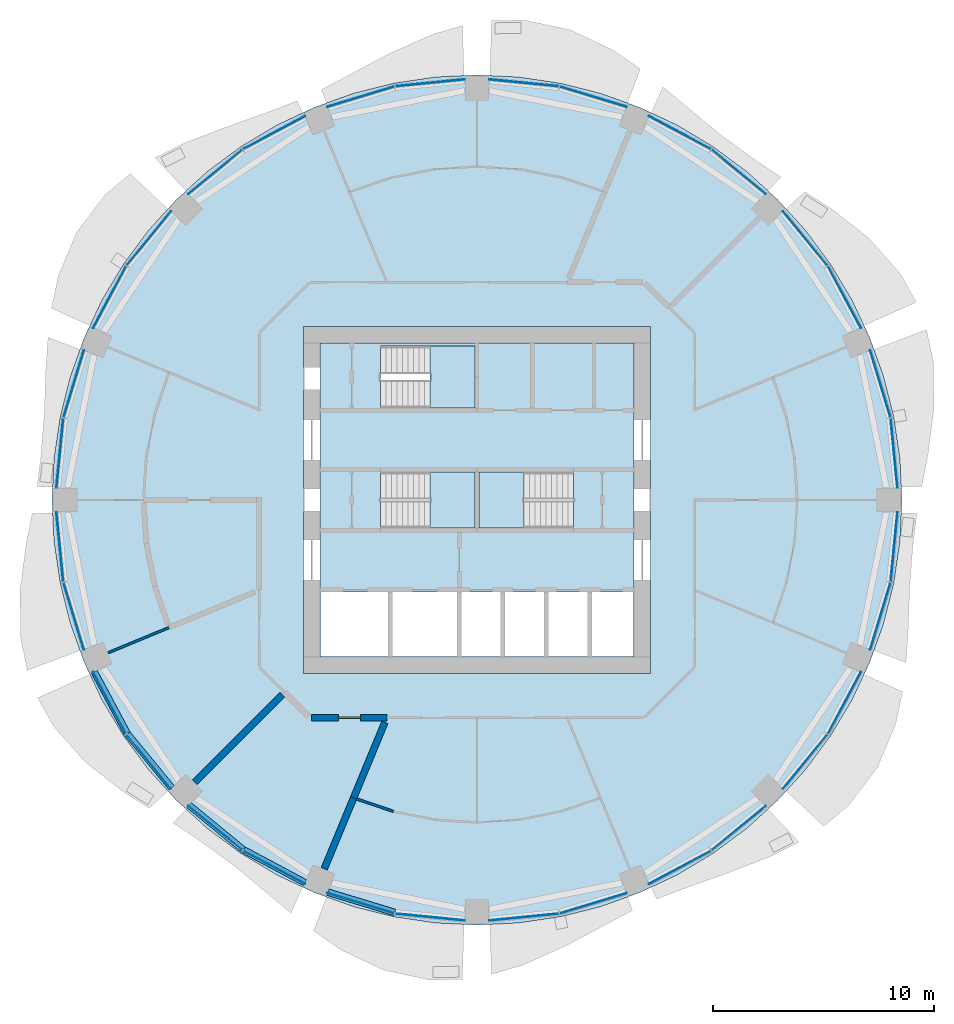
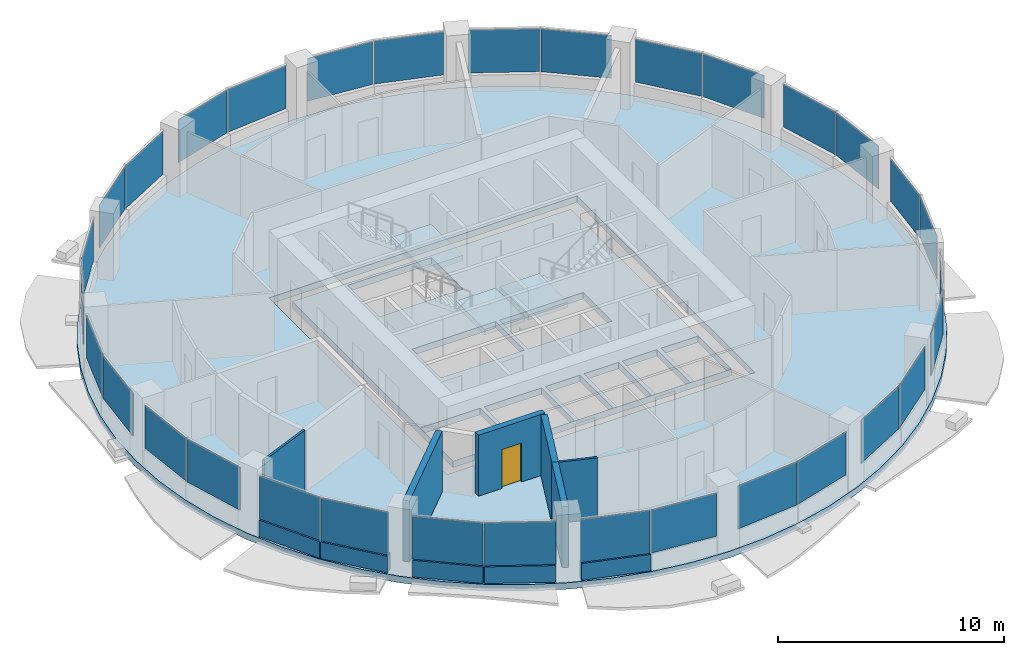
# One storey, part 6 of 14: 32 plates, 11 walls, 5 slabs, 1 door, 1 opening, 19 elements without a shape of their own.
"""IFC4 building model written with IfcOpenShell, lengths in metres."""

from ifc_helpers import new_model, si_unit, direction, frame, frame_2d, origin, origin_2d, place, context, subcontext, project, spatial, polyline, rectangle, outline, extrude, material, layer, layer_set, type_object, element, fill, aggregate, save


model = new_model("IFC4")

# Units and contexts
model_context = context("Model", 3, precision=1e-05, world=origin(), true_north=direction((0.0, 1.0)))
body_context = subcontext(model_context, "Body", "Model", "MODEL_VIEW")
ifc_project = project(units=[si_unit("LENGTHUNIT", "METRE"), si_unit("AREAUNIT", "SQUARE_METRE"), si_unit("VOLUMEUNIT", "CUBIC_METRE"), si_unit("PLANEANGLEUNIT", "RADIAN"), si_unit("MASSUNIT", "GRAM", prefix="KILO")], contexts=[model_context])

# Site, building, storey
site_placement = place(None, origin())
site = spatial("IfcSite", under=ifc_project, at=site_placement, CompositionType="ELEMENT")
building_placement = place(site_placement, origin())
building = spatial("IfcBuilding", under=site, at=building_placement, Name="Polderwave Tower", CompositionType="ELEMENT")
storey_placement = place(building_placement, frame((0.0, 0.0, 101.949951171875)))
storey = spatial("IfcBuildingStorey", under=building, at=storey_placement, Name="L26", CompositionType="ELEMENT", Elevation=101.949951171875)

# Slab
ifc_material_1 = material(Name="Concrete C40/50", Category="concrete")
ifc_layer_1 = layer(ifc_material_1, 0.35009765625)
ifc_layer_set_1 = layer_set([ifc_layer_1], Name="Core floor slab 350")
slab_type_1 = type_object("IfcSlabType", Name="Core floor slab 350", PredefinedType="FLOOR", material=ifc_layer_set_1)
slab_1_placement = place(storey_placement, frame((0.0, 0.0, -0.349853515625)))
element("IfcSlab", 1, at=slab_1_placement, inside=storey, type_object=slab_type_1, Name="L26 core floor", PredefinedType="FLOOR", context=body_context, shape_type="SweptSolid", body=[
    extrude(outline(polyline([(-7.1240234375, -7.1240234375), (7.1240234375, -7.1240234375), (7.1240234375, 7.1240234375), (-7.1240234375, 7.1240234375), (-7.1240234375, -7.1240234375)]), holes=[polyline([(-7.10400390625, -7.10400390625), (-4.037109375, -7.10400390625), (-4.037109375, -4.174072265625), (-7.10400390625, -4.174072265625), (-7.10400390625, -7.10400390625)]), polyline([(-3.8369140625, -7.10400390625), (-0.89990234375, -7.10400390625), (-0.89990234375, -4.174072265625), (-3.8369140625, -4.174072265625), (-3.8369140625, -7.10400390625)]), polyline([(-0.699951171875, -7.10400390625), (1.068603515625, -7.10400390625), (1.068603515625, -4.174072265625), (-0.699951171875, -4.174072265625), (-0.699951171875, -7.10400390625)]), polyline([(1.2685546875, -7.10400390625), (3.037109375, -7.10400390625), (3.037109375, -4.174072265625), (1.2685546875, -4.174072265625), (1.2685546875, -7.10400390625)]), polyline([(3.237060546875, -7.10400390625), (5.005615234375, -7.10400390625), (5.005615234375, -4.174072265625), (3.237060546875, -4.174072265625), (3.237060546875, -7.10400390625)]), polyline([(5.20556640625, -7.10400390625), (7.10400390625, -7.10400390625), (7.10400390625, -4.174072265625), (5.20556640625, -4.174072265625), (5.20556640625, -7.10400390625)]), polyline([(-4.37353515625, -1.2744140625), (-0.1005859375, -1.2744140625), (-0.1005859375, 1.2744140625), (-4.37353515625, 1.2744140625), (-4.37353515625, -1.2744140625)]), polyline([(0.1005859375, -1.2744140625), (4.37353515625, -1.2744140625), (4.37353515625, 1.2744140625), (0.1005859375, 1.2744140625), (0.1005859375, -1.2744140625)]), polyline([(-4.37353515625, 4.174560546875), (-0.1005859375, 4.174560546875), (-0.1005859375, 6.973388671875), (-4.37353515625, 6.973388671875), (-4.37353515625, 4.174560546875)])]), origin(), (0.0, 0.0, 1.0), 0.349853515625),
])

# Curtain wall, plates
ifc_material_2 = material(Name="Aluminium 6063-T6 and glass", Category="aluminium")
curtain_wall_type = type_object("IfcCurtainWallType", Name="Growing floor ribbon glazing wall", PredefinedType="NOTDEFINED", material=ifc_material_2)
curtain_wall_1_placement = place(storey_placement, origin())
curtain_wall_1 = element("IfcCurtainWall", 2, at=curtain_wall_1_placement, inside=storey, type_object=curtain_wall_type, Name="CW2 L26 00", PredefinedType="NOTDEFINED")
ifc_material_3 = material(Name="Glass, low-e laminated double glazing", Category="glass")
ifc_layer_2 = layer(ifc_material_3, 0.028076171875)
ifc_layer_set_2 = layer_set([ifc_layer_2], Name="Growing floor ribbon glazing glass panel 28 mm")
plate_type = type_object("IfcPlateType", Name="Growing floor ribbon glazing glass panel 28 mm", PredefinedType="CURTAIN_PANEL", material=ifc_layer_set_2)
plate_1_placement = place(storey_placement, frame((18.910888671875, 2.125, 0.89990234375), z_axis=(0.0, 0.0, 1.0), x_axis=(-0.097954610836, 0.995190883306, 0.0)))
plate_1 = element("IfcPlate", 3, at=plate_1_placement, type_object=plate_type, Name="CW2 panel 1", PredefinedType="CURTAIN_PANEL", context=body_context, shape_type="SweptSolid", body=[
    extrude(rectangle(XDim=3.165283203125, YDim=0.028076171875, at=origin_2d()), origin(), (0.0, 0.0, 1.0), 2.320068359375),
])
plate_2_placement = place(storey_placement, frame((18.28466796875, 5.2734375, 0.89990234375), z_axis=(0.0, 0.0, 1.0), x_axis=(-0.290389896585, 0.95690841148, 0.0)))
plate_2 = element("IfcPlate", 4, at=plate_2_placement, type_object=plate_type, Name="CW2 panel 2", PredefinedType="CURTAIN_PANEL", context=body_context, shape_type="SweptSolid", body=[
    extrude(rectangle(XDim=3.165771484375, YDim=0.028076171875, at=origin_2d()), origin(), (0.0, 0.0, 1.0), 2.320068359375),
])
aggregate(curtain_wall_1, [plate_1, plate_2])

curtain_wall_2_placement = place(storey_placement, origin())
curtain_wall_2 = element("IfcCurtainWall", 5, at=curtain_wall_2_placement, inside=storey, type_object=curtain_wall_type, Name="CW2 L26 01", PredefinedType="NOTDEFINED")
plate_3_placement = place(storey_placement, frame((16.658203125, 9.2001953125, 0.89990234375), z_axis=(0.0, 0.0, 1.0), x_axis=(-0.471205859658, 0.882023263766, 0.0)))
plate_3 = element("IfcPlate", 6, at=plate_3_placement, type_object=plate_type, Name="CW2 panel 1", PredefinedType="CURTAIN_PANEL", context=body_context, shape_type="SweptSolid", body=[
    extrude(rectangle(XDim=3.166015625, YDim=0.028076171875, at=origin_2d()), origin(), (0.0, 0.0, 1.0), 2.320068359375),
])
plate_4_placement = place(storey_placement, frame((14.87451171875, 11.86962890625, 0.89990234375), z_axis=(0.0, 0.0, 1.0), x_axis=(-0.634565960524, 0.772868709254, 0.0)))
plate_4 = element("IfcPlate", 7, at=plate_4_placement, type_object=plate_type, Name="CW2 panel 2", PredefinedType="CURTAIN_PANEL", context=body_context, shape_type="SweptSolid", body=[
    extrude(rectangle(XDim=3.166015625, YDim=0.028076171875, at=origin_2d()), origin(), (0.0, 0.0, 1.0), 2.320068359375),
])
aggregate(curtain_wall_2, [plate_3, plate_4])

curtain_wall_3_placement = place(storey_placement, origin())
curtain_wall_3 = element("IfcCurtainWall", 8, at=curtain_wall_3_placement, inside=storey, type_object=curtain_wall_type, Name="CW2 L26 02", PredefinedType="NOTDEFINED")
plate_5_placement = place(storey_placement, frame((11.86962890625, 14.87451171875, 0.89990234375), z_axis=(0.0, 0.0, 1.0), x_axis=(-0.772868709254, 0.634565960524, 0.0)))
plate_5 = element("IfcPlate", 9, at=plate_5_placement, type_object=plate_type, Name="CW2 panel 1", PredefinedType="CURTAIN_PANEL", context=body_context, shape_type="SweptSolid", body=[
    extrude(rectangle(XDim=3.166015625, YDim=0.028076171875, at=origin_2d()), origin(), (0.0, 0.0, 1.0), 2.320068359375),
])
plate_6_placement = place(storey_placement, frame((9.2001953125, 16.658203125, 0.89990234375), z_axis=(0.0, 0.0, 1.0), x_axis=(-0.882023263766, 0.471205859658, 0.0)))
plate_6 = element("IfcPlate", 10, at=plate_6_placement, type_object=plate_type, Name="CW2 panel 2", PredefinedType="CURTAIN_PANEL", context=body_context, shape_type="SweptSolid", body=[
    extrude(rectangle(XDim=3.166015625, YDim=0.028076171875, at=origin_2d()), origin(), (0.0, 0.0, 1.0), 2.320068359375),
])
aggregate(curtain_wall_3, [plate_5, plate_6])

curtain_wall_4_placement = place(storey_placement, origin())
curtain_wall_4 = element("IfcCurtainWall", 11, at=curtain_wall_4_placement, inside=storey, type_object=curtain_wall_type, Name="CW2 L26 03", PredefinedType="NOTDEFINED")
plate_7_placement = place(storey_placement, frame((5.2734375, 18.28466796875, 0.89990234375), z_axis=(0.0, 0.0, 1.0), x_axis=(-0.95690841148, 0.290389896585, 0.0)))
plate_7 = element("IfcPlate", 12, at=plate_7_placement, type_object=plate_type, Name="CW2 panel 1", PredefinedType="CURTAIN_PANEL", context=body_context, shape_type="SweptSolid", body=[
    extrude(rectangle(XDim=3.165771484375, YDim=0.028076171875, at=origin_2d()), origin(), (0.0, 0.0, 1.0), 2.320068359375),
])
plate_8_placement = place(storey_placement, frame((2.125, 18.910888671875, 0.89990234375), z_axis=(0.0, 0.0, 1.0), x_axis=(-0.995190883306, 0.097954610836, 0.0)))
plate_8 = element("IfcPlate", 13, at=plate_8_placement, type_object=plate_type, Name="CW2 panel 2", PredefinedType="CURTAIN_PANEL", context=body_context, shape_type="SweptSolid", body=[
    extrude(rectangle(XDim=3.165283203125, YDim=0.028076171875, at=origin_2d()), origin(), (0.0, 0.0, 1.0), 2.320068359375),
])
aggregate(curtain_wall_4, [plate_7, plate_8])

curtain_wall_5_placement = place(storey_placement, origin())
curtain_wall_5 = element("IfcCurtainWall", 14, at=curtain_wall_5_placement, inside=storey, type_object=curtain_wall_type, Name="CW2 L26 04", PredefinedType="NOTDEFINED")
plate_9_placement = place(storey_placement, frame((-2.125, 18.910888671875, 0.89990234375), z_axis=(0.0, 0.0, 1.0), x_axis=(-0.995190883306, -0.097954610836, 0.0)))
plate_9 = element("IfcPlate", 15, at=plate_9_placement, type_object=plate_type, Name="CW2 panel 1", PredefinedType="CURTAIN_PANEL", context=body_context, shape_type="SweptSolid", body=[
    extrude(rectangle(XDim=3.165283203125, YDim=0.028076171875, at=origin_2d()), origin(), (0.0, 0.0, 1.0), 2.320068359375),
])
plate_10_placement = place(storey_placement, frame((-5.2734375, 18.28466796875, 0.89990234375), z_axis=(0.0, 0.0, 1.0), x_axis=(-0.95690841148, -0.290389896585, 0.0)))
plate_10 = element("IfcPlate", 16, at=plate_10_placement, type_object=plate_type, Name="CW2 panel 2", PredefinedType="CURTAIN_PANEL", context=body_context, shape_type="SweptSolid", body=[
    extrude(rectangle(XDim=3.165771484375, YDim=0.028076171875, at=origin_2d()), origin(), (0.0, 0.0, 1.0), 2.320068359375),
])
aggregate(curtain_wall_5, [plate_9, plate_10])

curtain_wall_6_placement = place(storey_placement, origin())
curtain_wall_6 = element("IfcCurtainWall", 17, at=curtain_wall_6_placement, inside=storey, type_object=curtain_wall_type, Name="CW2 L26 05", PredefinedType="NOTDEFINED")
plate_11_placement = place(storey_placement, frame((-9.2001953125, 16.658203125, 0.89990234375), z_axis=(0.0, 0.0, 1.0), x_axis=(-0.882023263766, -0.471205859658, 0.0)))
plate_11 = element("IfcPlate", 18, at=plate_11_placement, type_object=plate_type, Name="CW2 panel 1", PredefinedType="CURTAIN_PANEL", context=body_context, shape_type="SweptSolid", body=[
    extrude(rectangle(XDim=3.166015625, YDim=0.028076171875, at=origin_2d()), origin(), (0.0, 0.0, 1.0), 2.320068359375),
])
plate_12_placement = place(storey_placement, frame((-11.86962890625, 14.87451171875, 0.89990234375), z_axis=(0.0, 0.0, 1.0), x_axis=(-0.772868709254, -0.634565960524, 0.0)))
plate_12 = element("IfcPlate", 19, at=plate_12_placement, type_object=plate_type, Name="CW2 panel 2", PredefinedType="CURTAIN_PANEL", context=body_context, shape_type="SweptSolid", body=[
    extrude(rectangle(XDim=3.166015625, YDim=0.028076171875, at=origin_2d()), origin(), (0.0, 0.0, 1.0), 2.320068359375),
])
aggregate(curtain_wall_6, [plate_11, plate_12])

curtain_wall_7_placement = place(storey_placement, origin())
curtain_wall_7 = element("IfcCurtainWall", 20, at=curtain_wall_7_placement, inside=storey, type_object=curtain_wall_type, Name="CW2 L26 06", PredefinedType="NOTDEFINED")
plate_13_placement = place(storey_placement, frame((-14.87451171875, 11.86962890625, 0.89990234375), z_axis=(0.0, 0.0, 1.0), x_axis=(-0.634565960524, -0.772868709254, 0.0)))
plate_13 = element("IfcPlate", 21, at=plate_13_placement, type_object=plate_type, Name="CW2 panel 1", PredefinedType="CURTAIN_PANEL", context=body_context, shape_type="SweptSolid", body=[
    extrude(rectangle(XDim=3.166015625, YDim=0.028076171875, at=origin_2d()), origin(), (0.0, 0.0, 1.0), 2.320068359375),
])
plate_14_placement = place(storey_placement, frame((-16.658203125, 9.2001953125, 0.89990234375), z_axis=(0.0, 0.0, 1.0), x_axis=(-0.471205859658, -0.882023263766, 0.0)))
plate_14 = element("IfcPlate", 22, at=plate_14_placement, type_object=plate_type, Name="CW2 panel 2", PredefinedType="CURTAIN_PANEL", context=body_context, shape_type="SweptSolid", body=[
    extrude(rectangle(XDim=3.166015625, YDim=0.028076171875, at=origin_2d()), origin(), (0.0, 0.0, 1.0), 2.320068359375),
])
aggregate(curtain_wall_7, [plate_13, plate_14])

curtain_wall_8_placement = place(storey_placement, origin())
curtain_wall_8 = element("IfcCurtainWall", 23, at=curtain_wall_8_placement, inside=storey, type_object=curtain_wall_type, Name="CW2 L26 07", PredefinedType="NOTDEFINED")
plate_15_placement = place(storey_placement, frame((-18.28466796875, 5.2734375, 0.89990234375), z_axis=(0.0, 0.0, 1.0), x_axis=(-0.290389896585, -0.95690841148, 0.0)))
plate_15 = element("IfcPlate", 24, at=plate_15_placement, type_object=plate_type, Name="CW2 panel 1", PredefinedType="CURTAIN_PANEL", context=body_context, shape_type="SweptSolid", body=[
    extrude(rectangle(XDim=3.165771484375, YDim=0.028076171875, at=origin_2d()), origin(), (0.0, 0.0, 1.0), 2.320068359375),
])
plate_16_placement = place(storey_placement, frame((-18.910888671875, 2.125, 0.89990234375), z_axis=(0.0, 0.0, 1.0), x_axis=(-0.097954610836, -0.995190883306, 0.0)))
plate_16 = element("IfcPlate", 25, at=plate_16_placement, type_object=plate_type, Name="CW2 panel 2", PredefinedType="CURTAIN_PANEL", context=body_context, shape_type="SweptSolid", body=[
    extrude(rectangle(XDim=3.165283203125, YDim=0.028076171875, at=origin_2d()), origin(), (0.0, 0.0, 1.0), 2.320068359375),
])
aggregate(curtain_wall_8, [plate_15, plate_16])

curtain_wall_9_placement = place(storey_placement, origin())
curtain_wall_9 = element("IfcCurtainWall", 26, at=curtain_wall_9_placement, inside=storey, type_object=curtain_wall_type, Name="CW2 L26 08", PredefinedType="NOTDEFINED")
plate_17_placement = place(storey_placement, frame((-18.910888671875, -2.125, 0.89990234375), z_axis=(0.0, 0.0, 1.0), x_axis=(0.097954610836, -0.995190883306, 0.0)))
plate_17 = element("IfcPlate", 27, at=plate_17_placement, type_object=plate_type, Name="CW2 panel 1", PredefinedType="CURTAIN_PANEL", context=body_context, shape_type="SweptSolid", body=[
    extrude(rectangle(XDim=3.165283203125, YDim=0.028076171875, at=origin_2d()), origin(), (0.0, 0.0, 1.0), 2.320068359375),
])
plate_18_placement = place(storey_placement, frame((-18.28466796875, -5.2734375, 0.89990234375), z_axis=(0.0, 0.0, 1.0), x_axis=(0.290389896585, -0.95690841148, 0.0)))
plate_18 = element("IfcPlate", 28, at=plate_18_placement, type_object=plate_type, Name="CW2 panel 2", PredefinedType="CURTAIN_PANEL", context=body_context, shape_type="SweptSolid", body=[
    extrude(rectangle(XDim=3.165771484375, YDim=0.028076171875, at=origin_2d()), origin(), (0.0, 0.0, 1.0), 2.320068359375),
])
aggregate(curtain_wall_9, [plate_17, plate_18])

curtain_wall_10_placement = place(storey_placement, origin())
curtain_wall_10 = element("IfcCurtainWall", 29, at=curtain_wall_10_placement, inside=storey, type_object=curtain_wall_type, Name="CW2 L26 09", PredefinedType="NOTDEFINED")
plate_19_placement = place(storey_placement, frame((-16.658203125, -9.2001953125, 0.89990234375), z_axis=(0.0, 0.0, 1.0), x_axis=(0.471205859658, -0.882023263766, 0.0)))
plate_19 = element("IfcPlate", 30, at=plate_19_placement, type_object=plate_type, Name="CW2 panel 1", PredefinedType="CURTAIN_PANEL", context=body_context, shape_type="SweptSolid", body=[
    extrude(rectangle(XDim=3.166015625, YDim=0.028076171875, at=origin_2d()), origin(), (0.0, 0.0, 1.0), 2.320068359375),
])
plate_20_placement = place(storey_placement, frame((-14.87451171875, -11.86962890625, 0.89990234375), z_axis=(0.0, 0.0, 1.0), x_axis=(0.634565960524, -0.772868709254, 0.0)))
plate_20 = element("IfcPlate", 31, at=plate_20_placement, type_object=plate_type, Name="CW2 panel 2", PredefinedType="CURTAIN_PANEL", context=body_context, shape_type="SweptSolid", body=[
    extrude(rectangle(XDim=3.166015625, YDim=0.028076171875, at=origin_2d()), origin(), (0.0, 0.0, 1.0), 2.320068359375),
])
aggregate(curtain_wall_10, [plate_19, plate_20])

curtain_wall_11_placement = place(storey_placement, origin())
curtain_wall_11 = element("IfcCurtainWall", 32, at=curtain_wall_11_placement, inside=storey, type_object=curtain_wall_type, Name="CW2 L26 10", PredefinedType="NOTDEFINED")
plate_21_placement = place(storey_placement, frame((-11.86962890625, -14.87451171875, 0.89990234375), z_axis=(0.0, 0.0, 1.0), x_axis=(0.772868709254, -0.634565960524, 0.0)))
plate_21 = element("IfcPlate", 33, at=plate_21_placement, type_object=plate_type, Name="CW2 panel 1", PredefinedType="CURTAIN_PANEL", context=body_context, shape_type="SweptSolid", body=[
    extrude(rectangle(XDim=3.166015625, YDim=0.028076171875, at=origin_2d()), origin(), (0.0, 0.0, 1.0), 2.320068359375),
])
plate_22_placement = place(storey_placement, frame((-9.2001953125, -16.658203125, 0.89990234375), z_axis=(0.0, 0.0, 1.0), x_axis=(0.882023263766, -0.471205859658, 0.0)))
plate_22 = element("IfcPlate", 34, at=plate_22_placement, type_object=plate_type, Name="CW2 panel 2", PredefinedType="CURTAIN_PANEL", context=body_context, shape_type="SweptSolid", body=[
    extrude(rectangle(XDim=3.166015625, YDim=0.028076171875, at=origin_2d()), origin(), (0.0, 0.0, 1.0), 2.320068359375),
])
aggregate(curtain_wall_11, [plate_21, plate_22])

curtain_wall_12_placement = place(storey_placement, origin())
curtain_wall_12 = element("IfcCurtainWall", 35, at=curtain_wall_12_placement, inside=storey, type_object=curtain_wall_type, Name="CW2 L26 11", PredefinedType="NOTDEFINED")
plate_23_placement = place(storey_placement, frame((-5.2734375, -18.28466796875, 0.89990234375), z_axis=(0.0, 0.0, 1.0), x_axis=(0.95690841148, -0.290389896585, 0.0)))
plate_23 = element("IfcPlate", 36, at=plate_23_placement, type_object=plate_type, Name="CW2 panel 1", PredefinedType="CURTAIN_PANEL", context=body_context, shape_type="SweptSolid", body=[
    extrude(rectangle(XDim=3.165771484375, YDim=0.028076171875, at=origin_2d()), origin(), (0.0, 0.0, 1.0), 2.320068359375),
])
plate_24_placement = place(storey_placement, frame((-2.125, -18.910888671875, 0.89990234375), z_axis=(0.0, 0.0, 1.0), x_axis=(0.995190883306, -0.097954610836, 0.0)))
plate_24 = element("IfcPlate", 37, at=plate_24_placement, type_object=plate_type, Name="CW2 panel 2", PredefinedType="CURTAIN_PANEL", context=body_context, shape_type="SweptSolid", body=[
    extrude(rectangle(XDim=3.165283203125, YDim=0.028076171875, at=origin_2d()), origin(), (0.0, 0.0, 1.0), 2.320068359375),
])
aggregate(curtain_wall_12, [plate_23, plate_24])

curtain_wall_13_placement = place(storey_placement, origin())
curtain_wall_13 = element("IfcCurtainWall", 38, at=curtain_wall_13_placement, inside=storey, type_object=curtain_wall_type, Name="CW2 L26 12", PredefinedType="NOTDEFINED")
plate_25_placement = place(storey_placement, frame((2.125, -18.910888671875, 0.89990234375), z_axis=(0.0, 0.0, 1.0), x_axis=(0.995190883306, 0.097954610836, 0.0)))
plate_25 = element("IfcPlate", 39, at=plate_25_placement, type_object=plate_type, Name="CW2 panel 1", PredefinedType="CURTAIN_PANEL", context=body_context, shape_type="SweptSolid", body=[
    extrude(rectangle(XDim=3.165283203125, YDim=0.028076171875, at=origin_2d()), origin(), (0.0, 0.0, 1.0), 2.320068359375),
])
plate_26_placement = place(storey_placement, frame((5.2734375, -18.28466796875, 0.89990234375), z_axis=(0.0, 0.0, 1.0), x_axis=(0.95690841148, 0.290389896585, 0.0)))
plate_26 = element("IfcPlate", 40, at=plate_26_placement, type_object=plate_type, Name="CW2 panel 2", PredefinedType="CURTAIN_PANEL", context=body_context, shape_type="SweptSolid", body=[
    extrude(rectangle(XDim=3.165771484375, YDim=0.028076171875, at=origin_2d()), origin(), (0.0, 0.0, 1.0), 2.320068359375),
])
aggregate(curtain_wall_13, [plate_25, plate_26])

curtain_wall_14_placement = place(storey_placement, origin())
curtain_wall_14 = element("IfcCurtainWall", 41, at=curtain_wall_14_placement, inside=storey, type_object=curtain_wall_type, Name="CW2 L26 13", PredefinedType="NOTDEFINED")
plate_27_placement = place(storey_placement, frame((9.2001953125, -16.658203125, 0.89990234375), z_axis=(0.0, 0.0, 1.0), x_axis=(0.882023263766, 0.471205859658, 0.0)))
plate_27 = element("IfcPlate", 42, at=plate_27_placement, type_object=plate_type, Name="CW2 panel 1", PredefinedType="CURTAIN_PANEL", context=body_context, shape_type="SweptSolid", body=[
    extrude(rectangle(XDim=3.166015625, YDim=0.028076171875, at=origin_2d()), origin(), (0.0, 0.0, 1.0), 2.320068359375),
])
plate_28_placement = place(storey_placement, frame((11.86962890625, -14.87451171875, 0.89990234375), z_axis=(0.0, 0.0, 1.0), x_axis=(0.772868709254, 0.634565960524, 0.0)))
plate_28 = element("IfcPlate", 43, at=plate_28_placement, type_object=plate_type, Name="CW2 panel 2", PredefinedType="CURTAIN_PANEL", context=body_context, shape_type="SweptSolid", body=[
    extrude(rectangle(XDim=3.166015625, YDim=0.028076171875, at=origin_2d()), origin(), (0.0, 0.0, 1.0), 2.320068359375),
])
aggregate(curtain_wall_14, [plate_27, plate_28])

curtain_wall_15_placement = place(storey_placement, origin())
curtain_wall_15 = element("IfcCurtainWall", 44, at=curtain_wall_15_placement, inside=storey, type_object=curtain_wall_type, Name="CW2 L26 14", PredefinedType="NOTDEFINED")
plate_29_placement = place(storey_placement, frame((14.87451171875, -11.86962890625, 0.89990234375), z_axis=(0.0, 0.0, 1.0), x_axis=(0.634565960524, 0.772868709254, 0.0)))
plate_29 = element("IfcPlate", 45, at=plate_29_placement, type_object=plate_type, Name="CW2 panel 1", PredefinedType="CURTAIN_PANEL", context=body_context, shape_type="SweptSolid", body=[
    extrude(rectangle(XDim=3.166015625, YDim=0.028076171875, at=origin_2d()), origin(), (0.0, 0.0, 1.0), 2.320068359375),
])
plate_30_placement = place(storey_placement, frame((16.658203125, -9.2001953125, 0.89990234375), z_axis=(0.0, 0.0, 1.0), x_axis=(0.471205859658, 0.882023263766, 0.0)))
plate_30 = element("IfcPlate", 46, at=plate_30_placement, type_object=plate_type, Name="CW2 panel 2", PredefinedType="CURTAIN_PANEL", context=body_context, shape_type="SweptSolid", body=[
    extrude(rectangle(XDim=3.166015625, YDim=0.028076171875, at=origin_2d()), origin(), (0.0, 0.0, 1.0), 2.320068359375),
])
aggregate(curtain_wall_15, [plate_29, plate_30])

curtain_wall_16_placement = place(storey_placement, origin())
curtain_wall_16 = element("IfcCurtainWall", 47, at=curtain_wall_16_placement, inside=storey, type_object=curtain_wall_type, Name="CW2 L26 15", PredefinedType="NOTDEFINED")
plate_31_placement = place(storey_placement, frame((18.28466796875, -5.2734375, 0.89990234375), z_axis=(0.0, 0.0, 1.0), x_axis=(0.290389896585, 0.95690841148, 0.0)))
plate_31 = element("IfcPlate", 48, at=plate_31_placement, type_object=plate_type, Name="CW2 panel 1", PredefinedType="CURTAIN_PANEL", context=body_context, shape_type="SweptSolid", body=[
    extrude(rectangle(XDim=3.165771484375, YDim=0.028076171875, at=origin_2d()), origin(), (0.0, 0.0, 1.0), 2.320068359375),
])
plate_32_placement = place(storey_placement, frame((18.910888671875, -2.125, 0.89990234375), z_axis=(0.0, 0.0, 1.0), x_axis=(0.097954610836, 0.995190883306, 0.0)))
plate_32 = element("IfcPlate", 49, at=plate_32_placement, type_object=plate_type, Name="CW2 panel 2", PredefinedType="CURTAIN_PANEL", context=body_context, shape_type="SweptSolid", body=[
    extrude(rectangle(XDim=3.165283203125, YDim=0.028076171875, at=origin_2d()), origin(), (0.0, 0.0, 1.0), 2.320068359375),
])
aggregate(curtain_wall_16, [plate_31, plate_32])

# Slab
ifc_layer_3 = layer(ifc_material_1, 0.35009765625)
ifc_layer_set_3 = layer_set([ifc_layer_3], Name="PT FLOOR SLAB 350 C40/50")
slab_type_2 = type_object("IfcSlabType", Name="PT FLOOR SLAB 350 C40/50", PredefinedType="FLOOR", material=ifc_layer_set_3)
slab_2_placement = place(storey_placement, frame((0.0, 0.0, -0.349853515625)))
element("IfcSlab", 50, at=slab_2_placement, inside=storey, type_object=slab_type_2, Name="ST-SLAB-L26", PredefinedType="FLOOR", context=body_context, shape_type="SweptSolid", body=[
    extrude(outline(polyline([(19.27001953125, 0.0), (19.17724609375, 1.888916015625), (18.899658203125, 3.759521484375), (18.440185546875, 5.59375), (17.80322265625, 7.374267578125), (16.99462890625, 9.083740234375), (16.0224609375, 10.705810546875), (14.89599609375, 12.224853515625), (13.6259765625, 13.6259765625), (12.224853515625, 14.89599609375), (10.705810546875, 16.0224609375), (9.083740234375, 16.99462890625), (7.374267578125, 17.80322265625), (5.59375, 18.440185546875), (3.759521484375, 18.899658203125), (1.888916015625, 19.17724609375), (0.0, 19.27001953125), (-1.888916015625, 19.17724609375), (-3.759521484375, 18.899658203125), (-5.59375, 18.440185546875), (-7.374267578125, 17.80322265625), (-9.083740234375, 16.99462890625), (-10.705810546875, 16.0224609375), (-12.224853515625, 14.89599609375), (-13.6259765625, 13.6259765625), (-14.89599609375, 12.224853515625), (-16.0224609375, 10.705810546875), (-16.99462890625, 9.083740234375), (-17.80322265625, 7.374267578125), (-18.440185546875, 5.59375), (-18.899658203125, 3.759521484375), (-19.17724609375, 1.888916015625), (-19.27001953125, 0.0), (-19.17724609375, -1.888916015625), (-18.899658203125, -3.759521484375), (-18.440185546875, -5.59375), (-17.80322265625, -7.374267578125), (-16.99462890625, -9.083740234375), (-16.0224609375, -10.705810546875), (-14.89599609375, -12.224853515625), (-13.6259765625, -13.6259765625), (-12.224853515625, -14.89599609375), (-10.705810546875, -16.0224609375), (-9.083740234375, -16.99462890625), (-7.374267578125, -17.80322265625), (-5.59375, -18.440185546875), (-3.759521484375, -18.899658203125), (-1.888916015625, -19.17724609375), (0.0, -19.27001953125), (1.888916015625, -19.17724609375), (3.759521484375, -18.899658203125), (5.59375, -18.440185546875), (7.374267578125, -17.80322265625), (9.083740234375, -16.99462890625), (10.705810546875, -16.0224609375), (12.224853515625, -14.89599609375), (13.6259765625, -13.6259765625), (14.89599609375, -12.224853515625), (16.0224609375, -10.705810546875), (16.99462890625, -9.083740234375), (17.80322265625, -7.374267578125), (18.440185546875, -5.59375), (18.899658203125, -3.759521484375), (19.17724609375, -1.888916015625), (19.27001953125, 0.0)]), holes=[polyline([(-7.8740234375, -7.8740234375), (7.8740234375, -7.8740234375), (7.8740234375, 7.8740234375), (-7.8740234375, 7.8740234375), (-7.8740234375, -7.8740234375)])]), origin(), (0.0, 0.0, 1.0), 0.349853515625),
])

# Stair, slab
stair_type = type_object("IfcStairType", Name="Exit stair 1200 x 20 risers", PredefinedType="HALF_TURN_STAIR", material=ifc_material_1)
stair_1_placement = place(storey_placement, origin())
stair_1 = element("IfcStair", 51, at=stair_1_placement, inside=storey, type_object=stair_type, Name="L26 Exit stair A", PredefinedType="HALF_TURN_STAIR")
ifc_layer_4 = layer(ifc_material_1, 0.300048828125)
ifc_layer_set_4 = layer_set([ifc_layer_4], Name="Stair landing 300")
slab_type_3 = type_object("IfcSlabType", Name="Stair landing 300", PredefinedType="LANDING", material=ifc_layer_set_4)
slab_3_placement = place(storey_placement, frame((0.0, 0.0, 1.525146484375)))
slab_3 = element("IfcSlab", 52, at=slab_3_placement, type_object=slab_type_3, Name="ST-A landing 1", PredefinedType="LANDING", context=body_context, shape_type="SweptSolid", body=[
    extrude(outline(polyline([(-2.1240234375, -1.27490234375), (-0.10009765625, -1.27490234375), (-0.10009765625, 1.27490234375), (-2.1240234375, 1.27490234375), (-2.1240234375, -1.27490234375)])), origin(), (0.0, 0.0, 1.0), 0.2998046875),
])
aggregate(stair_1, [slab_3])

stair_2_placement = place(storey_placement, origin())
stair_2 = element("IfcStair", 53, at=stair_2_placement, inside=storey, type_object=stair_type, Name="L26 Exit stair B", PredefinedType="HALF_TURN_STAIR")
slab_4_placement = place(storey_placement, frame((0.0, 0.0, 1.525146484375)))
slab_4 = element("IfcSlab", 54, at=slab_4_placement, type_object=slab_type_3, Name="ST-B landing 1", PredefinedType="LANDING", context=body_context, shape_type="SweptSolid", body=[
    extrude(outline(polyline([(2.1240234375, 1.27490234375), (0.10009765625, 1.27490234375), (0.10009765625, -1.27490234375), (2.1240234375, -1.27490234375), (2.1240234375, 1.27490234375)])), origin(), (0.0, 0.0, 1.0), 0.2998046875),
])
aggregate(stair_2, [slab_4])

stair_3_placement = place(storey_placement, origin())
stair_3 = element("IfcStair", 55, at=stair_3_placement, inside=storey, type_object=stair_type, Name="L26 Exit stair C", PredefinedType="HALF_TURN_STAIR")
slab_5_placement = place(storey_placement, frame((0.0, 0.0, 1.525146484375)))
slab_5 = element("IfcSlab", 56, at=slab_5_placement, type_object=slab_type_3, Name="ST-C landing 1", PredefinedType="LANDING", context=body_context, shape_type="SweptSolid", body=[
    extrude(outline(polyline([(-2.1240234375, 4.174072265625), (-0.10009765625, 4.174072265625), (-0.10009765625, 6.97412109375), (-2.1240234375, 6.97412109375), (-2.1240234375, 4.174072265625)])), origin(), (0.0, 0.0, 1.0), 0.2998046875),
])
aggregate(stair_3, [slab_5])

# Wall, opening, door
ifc_material_4 = material(Name="Insulated sandwich panel")
ifc_layer_5 = layer(ifc_material_4, 0.300048828125)
ifc_layer_set_5 = layer_set([ifc_layer_5], Name="Cold room wall 300 mm insulated panel")
wall_type_1 = type_object("IfcWallType", Name="Cold room wall 300 mm insulated panel", PredefinedType="PARTITIONING", material=ifc_layer_set_5)
wall_1_placement = place(storey_placement, frame((-4.08984375, -9.8740234375, 0.0), z_axis=(0.0, 0.0, 1.0), x_axis=(-1.0, 0.0, 0.0)))
wall_1 = element("IfcWall", 57, at=wall_1_placement, inside=storey, type_object=wall_type_1, Name="IN-L26-W017", PredefinedType="PARTITIONING", context=body_context, shape_type="SweptSolid", body=[
    extrude(rectangle(XDim=3.419189453125, YDim=0.300048828125, at=frame_2d((1.70947265625, 0.0))), origin(), (0.0, 0.0, 1.0), 3.300048828125),
])
opening_placement = place(wall_1_placement, frame((1.199951171875, 0.0, 0.0)))
opening = element("IfcOpeningElement", 58, at=opening_placement, cuts=wall_1, Name="Opening L26-D56", PredefinedType="OPENING", context=body_context, shape_type="SweptSolid", body=[
    extrude(rectangle(XDim=1.0, YDim=2.10009765625, at=frame_2d((0.5, 1.050048828125))), frame((0.0, 0.159912109375, 0.0), z_axis=(0.0, -1.0, 0.0), x_axis=(1.0, 0.0, 0.0)), (0.0, 0.0, 1.0), 0.320068359375),
])
ifc_material_5 = material(Name="Steel plant door leaf", Category="steel")
door_type = type_object("IfcDoorType", Name="Plant door FD60 1000 x 2100 steel", OperationType="NOTDEFINED", PredefinedType="DOOR", material=ifc_material_5)
door_placement = place(opening_placement, origin())
door = element("IfcDoor", 59, at=door_placement, inside=storey, type_object=door_type, Name="Door L26-D56", OperationType="SINGLE_SWING_LEFT", OverallHeight=2.10009765625, OverallWidth=1.0, PredefinedType="DOOR", context=body_context, shape_type="SweptSolid", body=[
    extrude(rectangle(XDim=1.0, YDim=2.10009765625, at=frame_2d((0.5, 1.050048828125))), frame((0.0, 0.02490234375, 0.0), z_axis=(0.0, -1.0, 0.0), x_axis=(1.0, 0.0, 0.0)), (0.0, 0.0, 1.0), 0.050048828125),
])
fill(opening, door)

# Walls
wall_2_placement = place(storey_placement, frame((-12.79150390625, -12.79150390625, 0.0), z_axis=(0.0, 0.0, 1.0), x_axis=(0.707106781187, 0.707106781187, 0.0)))
element("IfcWall", 60, at=wall_2_placement, inside=storey, type_object=wall_type_1, Name="IN-L26-W053", PredefinedType="PARTITIONING", context=body_context, shape_type="SweptSolid", body=[
    extrude(rectangle(XDim=5.6044921875, YDim=0.300048828125, at=frame_2d((2.80224609375, 0.0))), origin(), (0.0, 0.0, 1.0), 3.300048828125),
])
wall_3_placement = place(storey_placement, frame((-4.17578125, -10.081298828125, 0.0), z_axis=(0.0, 0.0, 1.0), x_axis=(-0.382669680004, -0.923885228806, 0.0)))
element("IfcWall", 61, at=wall_3_placement, inside=storey, type_object=wall_type_1, Name="IN-L26-W054", PredefinedType="PARTITIONING", context=body_context, shape_type="SweptSolid", body=[
    extrude(rectangle(XDim=3.7080078125, YDim=0.300048828125, at=frame_2d((1.85400390625, 0.0))), origin(), (0.0, 0.0, 1.0), 3.300048828125),
])
wall_4_placement = place(storey_placement, frame((-5.5947265625, -13.507080078125, 0.0), z_axis=(0.0, 0.0, 1.0), x_axis=(-0.382681133009, -0.923880484932, 0.0)))
element("IfcWall", 62, at=wall_4_placement, inside=storey, type_object=wall_type_1, Name="IN-L26-W055", PredefinedType="PARTITIONING", context=body_context, shape_type="SweptSolid", body=[
    extrude(rectangle(XDim=3.469970703125, YDim=0.300048828125, at=frame_2d((1.73486328125, 0.0))), origin(), (0.0, 0.0, 1.0), 3.300048828125),
])
ifc_material_6 = material(Name="Concrete C50/60 (board-marked)", Category="concrete")
ifc_layer_6 = layer(ifc_material_6, 0.300048828125)
ifc_layer_set_6 = layer_set([ifc_layer_6], Name="Concrete spandrel upstand C50/60")
wall_type_2 = type_object("IfcWallType", Name="Concrete spandrel upstand C50/60", PredefinedType="SOLIDWALL", material=ifc_layer_set_6)
for number, where, z_axis, x_axis, name in (
    (63, (-17.350830078125, -7.797119140625, 0.0), (0.0, 0.0, 1.0), (0.471238306932, -0.882005928597, 0.0), "Spandrel L26 10a"),
    (64, (-15.846435546875, -10.606689453125, 0.0), (0.0, 0.0, 1.0), (0.63437822698, -0.773022810229, 0.0), "Spandrel L26 10b"),
    (65, (-13.04736328125, -13.843505859375, 0.0), (0.0, 0.0, 1.0), (0.773022810229, -0.63437822698, 0.0), "Spandrel L26 11a"),
    (66, (-10.581787109375, -15.863037109375, 0.0), (0.0, 0.0, 1.0), (0.882005928597, -0.471238306932, 0.0), "Spandrel L26 11b"),
):
    element("IfcWall", number, at=place(storey_placement, frame(where, z_axis=z_axis, x_axis=x_axis)), inside=storey, type_object=wall_type_2, Name=name, PredefinedType="SOLIDWALL", context=body_context, shape_type="SweptSolid", body=[
        extrude(rectangle(XDim=3.1572265625, YDim=0.300048828125, at=frame_2d((1.57861328125, 0.0))), origin(), (0.0, 0.0, 1.0), 0.900146484375),
    ])
wall_5_placement = place(storey_placement, frame((-6.755615234375, -17.782470703125, 0.0), z_axis=(0.0, 0.0, 1.0), x_axis=(0.956874051907, -0.290503096001, 0.0)))
element("IfcWall", 67, at=wall_5_placement, inside=storey, type_object=wall_type_2, Name="Spandrel L26 12a", PredefinedType="SOLIDWALL", context=body_context, shape_type="SweptSolid", body=[
    extrude(rectangle(XDim=3.157470703125, YDim=0.300048828125, at=frame_2d((1.57861328125, 0.0))), origin(), (0.0, 0.0, 1.0), 0.900146484375),
])
ifc_material_7 = material(Name="Acoustic double plasterboard on steel studs", Category="steel")
ifc_layer_7 = layer(ifc_material_7, 0.110107421875)
ifc_layer_set_7 = layer_set([ifc_layer_7], Name="Partition 110 mm acoustic double board")
wall_type_3 = type_object("IfcWallType", Name="Partition 110 mm acoustic double board", PredefinedType="PARTITIONING", material=ifc_layer_set_7)
wall_6_placement = place(storey_placement, frame((-13.968994140625, -5.7861328125, 0.0), z_axis=(0.0, 0.0, 1.0), x_axis=(-0.923889594764, -0.382659139036, 0.0)))
element("IfcWall", 68, at=wall_6_placement, inside=storey, type_object=wall_type_3, Name="IN-L26-W051", PredefinedType="PARTITIONING", context=body_context, shape_type="SweptSolid", body=[
    extrude(rectangle(XDim=2.969970703125, YDim=0.110107421875, at=frame_2d((1.48486328125, 0.0))), origin(), (0.0, 0.0, 1.0), 3.300048828125),
])
wall_7_placement = place(storey_placement, frame((-3.787353515625, -14.12060546875, 0.0), z_axis=(0.0, 0.0, 1.0), x_axis=(-0.946943921292, 0.321398833116, 0.0)))
element("IfcWall", 69, at=wall_7_placement, inside=storey, type_object=wall_type_3, Name="IN-L26-W056", PredefinedType="PARTITIONING", context=body_context, shape_type="SweptSolid", body=[
    extrude(rectangle(XDim=1.754638671875, YDim=0.110107421875, at=frame_2d((0.87744140625, 0.0))), origin(), (0.0, 0.0, 1.0), 3.300048828125),
])

save(model, "model.ifc")
